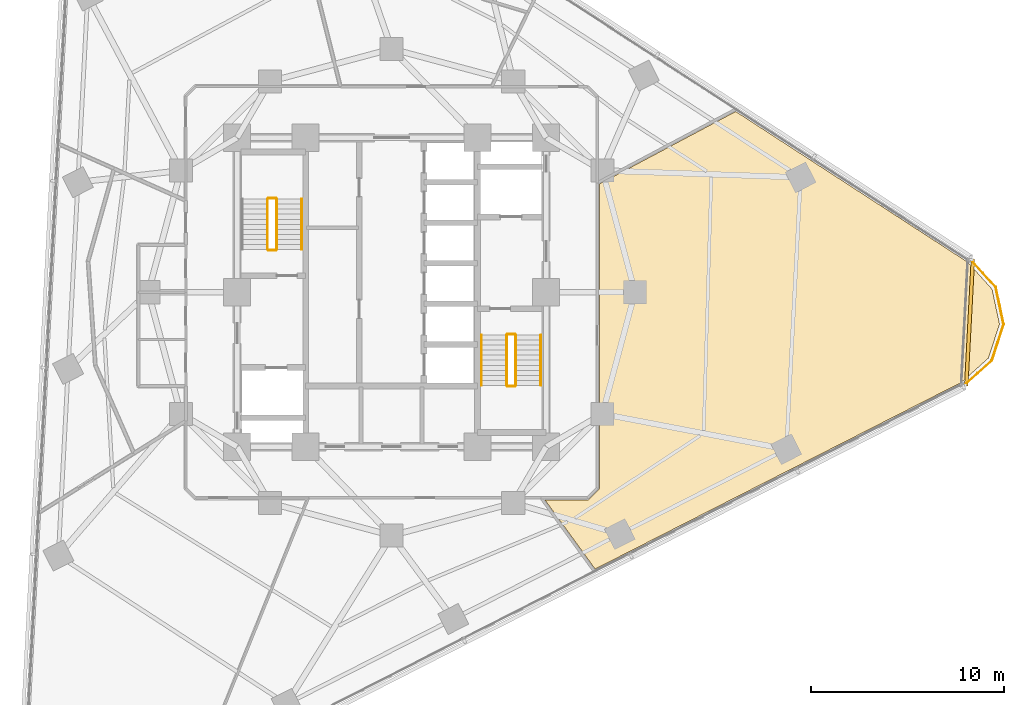
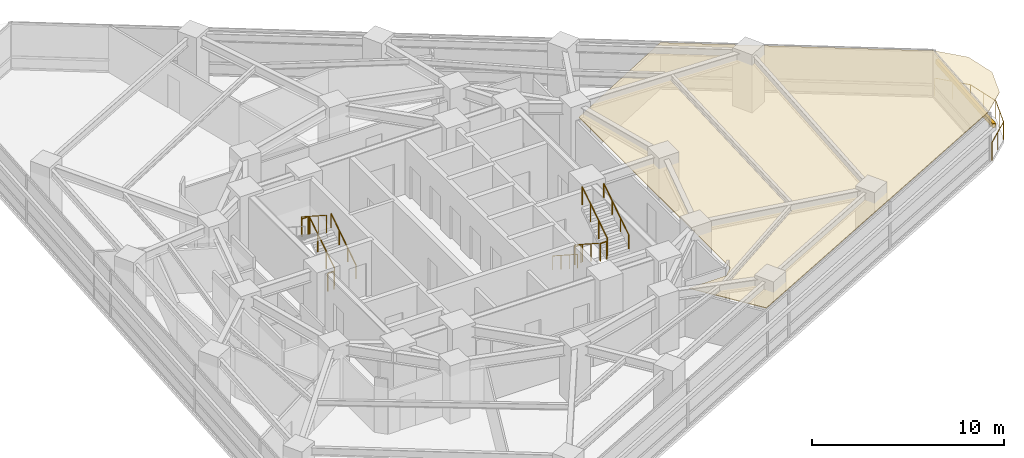
# One storey, part 13 of 14: 12 railings, 1 covering, 1 shading device.
"""IFC4 building model written with IfcOpenShell, lengths in metres."""

from ifc_helpers import new_model, si_unit, direction, frame, origin, origin_2d, place, context, subcontext, project, spatial, polyline, rectangle, circle, outline, extrude, material, layer, layer_set, type_object, element, save


model = new_model("IFC4")

# Units and contexts
model_context = context("Model", 3, precision=1e-05, world=origin(), true_north=direction((0.0, 1.0)))
body_context = subcontext(model_context, "Body", "Model", "MODEL_VIEW")
ifc_project = project(units=[si_unit("LENGTHUNIT", "METRE"), si_unit("AREAUNIT", "SQUARE_METRE"), si_unit("VOLUMEUNIT", "CUBIC_METRE"), si_unit("PLANEANGLEUNIT", "RADIAN"), si_unit("MASSUNIT", "GRAM", prefix="KILO")], contexts=[model_context])

# Site, building, storey
site_placement = place(None, origin())
site = spatial("IfcSite", under=ifc_project, at=site_placement, CompositionType="ELEMENT")
building_placement = place(site_placement, origin())
building = spatial("IfcBuilding", under=site, at=building_placement, Name="Terralouvre Media Tower", CompositionType="ELEMENT")
storey_placement = place(building_placement, frame((0.0, 0.0, 138.39990234375)))
storey = spatial("IfcBuildingStorey", under=building, at=storey_placement, Name="L35", CompositionType="ELEMENT", Elevation=138.39990234375)

# Covering
ifc_material_1 = material(Name="Perforated aluminium acoustic ceiling baffle", Category="aluminium")
ifc_layer_1 = layer(ifc_material_1, 0.0400390625, Name="Perforated Acoustic Metal Tile Ceiling CL-AC1")
ifc_layer_set_1 = layer_set([ifc_layer_1], Name="Perforated aluminium acoustic ceiling baffle")
covering_type = type_object("IfcCoveringType", Name="Perforated Acoustic Metal Tile Ceiling CL-AC1", PredefinedType="CEILING", material=ifc_layer_set_1)
covering_placement = place(storey_placement, frame((0.0, 0.0, 2.97998046875), z_axis=(0.0, 0.0, 1.0), x_axis=(0.891006524188, 0.45399049974, 0.0)))
element("IfcCovering", 1, at=covering_placement, inside=storey, type_object=covering_type, Name="L35 Book Review Reading Study 5 Acoustic Ceiling", PredefinedType="CEILING", context=body_context, shape_type="SweptSolid", body=[
    extrude(outline(polyline([(4.97021484375, -13.924072265625), (4.96533203125, -13.9326171875), (4.959716796875, -13.940673828125), (4.953369140625, -13.947998046875), (4.946044921875, -13.954833984375), (4.9384765625, -13.960693359375), (4.929931640625, -13.966064453125), (4.92138671875, -13.97021484375), (4.912109375, -13.973876953125), (4.239501953125, -14.1923828125), (4.230224609375, -14.19482421875), (4.220458984375, -14.196533203125), (4.210693359375, -14.197265625), (4.200927734375, -14.197021484375), (4.191162109375, -14.195556640625), (4.181640625, -14.193603515625), (4.17236328125, -14.1904296875), (4.163330078125, -14.186279296875), (2.18896484375, -13.180419921875), (2.881103515625, -17.55224609375), (24.1708984375, -17.55224609375), (25.986083984375, -17.06494140625), (27.29345703125, -15.758056640625), (27.7724609375, -13.972412109375), (27.28515625, -12.156982421875), (20.1220703125, 0.251220703125), (12.1220703125, 0.11181640625), (4.97021484375, -13.924072265625)])), origin(), (0.0, 0.0, 1.0), 0.0400390625),
])

# Railings
ifc_material_2 = material(Name="Stainless steel 316 handrail and balustrade", Category="steel")
ifc_layer_2 = layer(ifc_material_2, 0.06005859375, Name="Roof Edge Safety Guardrail GR-ROOF1")
ifc_layer_set_2 = layer_set([ifc_layer_2], Name="Stainless steel 316 handrail and balustrade")
railing_type_1 = type_object("IfcRailingType", Name="Roof Edge Safety Guardrail GR-ROOF1", PredefinedType="GUARDRAIL", material=ifc_layer_set_2)
railing_1_placement = place(storey_placement, frame((29.61572265625, -4.845947265625, 0.0)))
element("IfcRailing", 2, at=railing_1_placement, inside=storey, type_object=railing_type_1, Name="L35 Wind-Corner Perimeter Safety Guardrail C1", PredefinedType="GUARDRAIL", context=body_context, shape_type="SweptSolid", body=[
    extrude(circle(Radius=0.02099609375, at=origin_2d()), frame((0.0, 0.0, 1.12890625), z_axis=(0.743312666239, 0.668944153281, 0.0), x_axis=(-0.668944153281, 0.743312666239, 0.0)), (0.0, 0.0, 1.0), 1.96630859375),
    extrude(circle(Radius=0.02099609375, at=origin_2d()), frame((1.461669921875, 1.3154296875, 1.12890625), z_axis=(0.309178723202, 0.95100395221, 0.0), x_axis=(-0.95100395221, 0.309178723202, 0.0)), (0.0, 0.0, 1.0), 1.96630859375),
    extrude(circle(Radius=0.02099609375, at=origin_2d()), frame((2.069580078125, 3.185302734375, 1.12890625), z_axis=(-0.207968640809, 0.978135493907, 0.0), x_axis=(-0.978135493907, -0.207968640809, 0.0)), (0.0, 0.0, 1.0), 1.96630859375),
    extrude(circle(Radius=0.02099609375, at=origin_2d()), frame((1.66064453125, 5.108642578125, 1.12890625), z_axis=(-0.669335064293, 0.742960679786, 0.0), x_axis=(-0.742960679786, -0.669335064293, 0.0)), (0.0, 0.0, 1.0), 1.96630859375),
    extrude(circle(Radius=0.01904296875, at=origin_2d()), origin(), (0.0, 0.0, 1.0), 1.10791015625),
    extrude(circle(Radius=0.01904296875, at=origin_2d()), frame((0.73095703125, 0.65771484375, 0.0)), (0.0, 0.0, 1.0), 1.10791015625),
    extrude(circle(Radius=0.01904296875, at=origin_2d()), frame((1.461669921875, 1.3154296875, 0.0)), (0.0, 0.0, 1.0), 1.10791015625),
    extrude(circle(Radius=0.01904296875, at=origin_2d()), frame((1.765625, 2.25048828125, 0.0)), (0.0, 0.0, 1.0), 1.10791015625),
    extrude(circle(Radius=0.01904296875, at=origin_2d()), frame((2.069580078125, 3.185302734375, 0.0)), (0.0, 0.0, 1.0), 1.10791015625),
    extrude(circle(Radius=0.01904296875, at=origin_2d()), frame((1.865234375, 4.14697265625, 0.0)), (0.0, 0.0, 1.0), 1.10791015625),
    extrude(circle(Radius=0.01904296875, at=origin_2d()), frame((1.66064453125, 5.108642578125, 0.0)), (0.0, 0.0, 1.0), 1.10791015625),
    extrude(circle(Radius=0.01904296875, at=origin_2d()), frame((1.00244140625, 5.839111328125, 0.0)), (0.0, 0.0, 1.0), 1.10791015625),
    extrude(circle(Radius=0.01904296875, at=origin_2d()), frame((0.344482421875, 6.569580078125, 0.0)), (0.0, 0.0, 1.0), 1.10791015625),
])
ifc_material_3 = material(Name="Stainless steel 316 handrail and balustrade", Category="steel")
ifc_layer_3 = layer(ifc_material_3, 0.050048828125, Name="Stair Flight Wall Handrail HR-INT1")
ifc_layer_set_3 = layer_set([ifc_layer_3], Name="Stainless steel 316 handrail and balustrade")
railing_type_2 = type_object("IfcRailingType", Name="Stair Flight Wall Handrail HR-INT1", PredefinedType="HANDRAIL", material=ifc_layer_set_3)
railing_2_placement = place(storey_placement, frame((-4.64990234375, 2.219970703125, 0.168212890625)))
element("IfcRailing", 3, at=railing_2_placement, inside=storey, type_object=railing_type_2, Name="L35 ST-01 stair handrail 1", PredefinedType="HANDRAIL", context=body_context, shape_type="SweptSolid", body=[
    extrude(circle(Radius=0.02392578125, at=origin_2d()), frame((0.0, 0.0, 0.8759765625), z_axis=(0.0, 0.839648411786, 0.543130320075), x_axis=(-1.0, 0.0, 0.0)), (0.0, 0.0, 1.0), 3.0966796875),
    extrude(circle(Radius=0.02099609375, at=origin_2d()), origin(), (0.0, 0.0, 1.0), 0.851806640625),
    extrude(circle(Radius=0.02099609375, at=origin_2d()), frame((0.0, 0.86669921875, 0.560546875)), (0.0, 0.0, 1.0), 0.851806640625),
    extrude(circle(Radius=0.02099609375, at=origin_2d()), frame((0.0, 1.7333984375, 1.121337890625)), (0.0, 0.0, 1.0), 0.851806640625),
    extrude(circle(Radius=0.02099609375, at=origin_2d()), frame((0.0, 2.60009765625, 1.681884765625)), (0.0, 0.0, 1.0), 0.851806640625),
])
railing_3_placement = place(storey_placement, frame((4.64990234375, -2.219970703125, 0.168212890625)))
element("IfcRailing", 4, at=railing_3_placement, inside=storey, type_object=railing_type_2, Name="L35 ST-02 stair handrail 1", PredefinedType="HANDRAIL", context=body_context, shape_type="SweptSolid", body=[
    extrude(circle(Radius=0.02392578125, at=origin_2d()), frame((0.0, 0.0, 0.8759765625), z_axis=(0.0, -0.839648411786, 0.543130320075), x_axis=(1.0, 0.0, 0.0)), (0.0, 0.0, 1.0), 3.0966796875),
    extrude(circle(Radius=0.02099609375, at=origin_2d()), origin(), (0.0, 0.0, 1.0), 0.851806640625),
    extrude(circle(Radius=0.02099609375, at=origin_2d()), frame((0.0, -0.86669921875, 0.560546875)), (0.0, 0.0, 1.0), 0.851806640625),
    extrude(circle(Radius=0.02099609375, at=origin_2d()), frame((0.0, -1.7333984375, 1.121337890625)), (0.0, 0.0, 1.0), 0.851806640625),
    extrude(circle(Radius=0.02099609375, at=origin_2d()), frame((0.0, -2.60009765625, 1.681884765625)), (0.0, 0.0, 1.0), 0.851806640625),
])
railing_4_placement = place(storey_placement, frame((7.72998046875, -4.820068359375, 2.018310546875)))
element("IfcRailing", 5, at=railing_4_placement, inside=storey, type_object=railing_type_2, Name="L35 ST-02 stair handrail 2", PredefinedType="HANDRAIL", context=body_context, shape_type="SweptSolid", body=[
    extrude(circle(Radius=0.02392578125, at=origin_2d()), frame((0.0, 0.0, 0.8759765625), z_axis=(0.0, 0.839648411786, 0.543130320075), x_axis=(-1.0, 0.0, 0.0)), (0.0, 0.0, 1.0), 3.0966796875),
    extrude(circle(Radius=0.02099609375, at=origin_2d()), origin(), (0.0, 0.0, 1.0), 0.851806640625),
    extrude(circle(Radius=0.02099609375, at=origin_2d()), frame((0.0, 0.86669921875, 0.560546875)), (0.0, 0.0, 1.0), 0.851806640625),
    extrude(circle(Radius=0.02099609375, at=origin_2d()), frame((0.0, 1.7333984375, 1.121337890625)), (0.0, 0.0, 1.0), 0.851806640625),
    extrude(circle(Radius=0.02099609375, at=origin_2d()), frame((0.0, 2.60009765625, 1.681884765625)), (0.0, 0.0, 1.0), 0.851806640625),
])
ifc_material_4 = material(Name="Stainless steel 316 handrail and balustrade", Category="steel")
ifc_layer_4 = layer(ifc_material_4, 0.050048828125, Name="Stairwell Safety Guardrail GR-INT1")
ifc_layer_set_4 = layer_set([ifc_layer_4], Name="Stainless steel 316 handrail and balustrade")
railing_type_3 = type_object("IfcRailingType", Name="Stairwell Safety Guardrail GR-INT1", PredefinedType="GUARDRAIL", material=ifc_layer_set_4)
railing_5_placement = place(storey_placement, frame((-5.949951171875, 2.219970703125, 0.168212890625)))
element("IfcRailing", 6, at=railing_5_placement, inside=storey, type_object=railing_type_3, Name="L35 ST-01 stair guard 1", PredefinedType="GUARDRAIL", context=body_context, shape_type="SweptSolid", body=[
    extrude(circle(Radius=0.02392578125, at=origin_2d()), frame((0.0, 0.0, 1.1259765625), z_axis=(0.0, 0.839648411786, 0.543130320075), x_axis=(-1.0, 0.0, 0.0)), (0.0, 0.0, 1.0), 3.0966796875),
    extrude(circle(Radius=0.02099609375, at=origin_2d()), origin(), (0.0, 0.0, 1.0), 1.101806640625),
    extrude(circle(Radius=0.02099609375, at=origin_2d()), frame((0.0, 0.86669921875, 0.560546875)), (0.0, 0.0, 1.0), 1.101806640625),
    extrude(circle(Radius=0.02099609375, at=origin_2d()), frame((0.0, 1.7333984375, 1.121337890625)), (0.0, 0.0, 1.0), 1.101806640625),
    extrude(circle(Radius=0.02099609375, at=origin_2d()), frame((0.0, 2.60009765625, 1.681884765625)), (0.0, 0.0, 1.0), 1.101806640625),
])
railing_6_placement = place(storey_placement, frame((-6.0, 4.8701171875, 1.85009765625)))
element("IfcRailing", 7, at=railing_6_placement, inside=storey, type_object=railing_type_3, Name="L35 ST-01 stair guard 2", PredefinedType="GUARDRAIL", context=body_context, shape_type="SweptSolid", body=[
    extrude(circle(Radius=0.02392578125, at=origin_2d()), frame((0.0, 0.0, 1.1259765625), z_axis=(-1.0, 0.0, 0.0), x_axis=(0.0, -1.0, 0.0)), (0.0, 0.0, 1.0), 0.3798828125),
    extrude(circle(Radius=0.02099609375, at=origin_2d()), origin(), (0.0, 0.0, 1.0), 1.101806640625),
    extrude(circle(Radius=0.02099609375, at=origin_2d()), frame((-0.3798828125, 0.0, 0.0)), (0.0, 0.0, 1.0), 1.101806640625),
])
railing_7_placement = place(storey_placement, frame((-6.429931640625, 4.820068359375, 2.018310546875)))
element("IfcRailing", 8, at=railing_7_placement, inside=storey, type_object=railing_type_3, Name="L35 ST-01 stair guard 3", PredefinedType="GUARDRAIL", context=body_context, shape_type="SweptSolid", body=[
    extrude(circle(Radius=0.02392578125, at=origin_2d()), frame((0.0, 0.0, 1.1259765625), z_axis=(0.0, -0.839648411786, 0.543130320075), x_axis=(1.0, 0.0, 0.0)), (0.0, 0.0, 1.0), 3.0966796875),
    extrude(circle(Radius=0.02099609375, at=origin_2d()), origin(), (0.0, 0.0, 1.0), 1.101806640625),
    extrude(circle(Radius=0.02099609375, at=origin_2d()), frame((0.0, -0.86669921875, 0.560546875)), (0.0, 0.0, 1.0), 1.101806640625),
    extrude(circle(Radius=0.02099609375, at=origin_2d()), frame((0.0, -1.7333984375, 1.121337890625)), (0.0, 0.0, 1.0), 1.101806640625),
    extrude(circle(Radius=0.02099609375, at=origin_2d()), frame((0.0, -2.60009765625, 1.681884765625)), (0.0, 0.0, 1.0), 1.101806640625),
])
railing_8_placement = place(storey_placement, frame((-6.0, 2.169921875, 0.0)))
element("IfcRailing", 9, at=railing_8_placement, inside=storey, type_object=railing_type_3, Name="L35 ST-01 stair guard 4", PredefinedType="GUARDRAIL", context=body_context, shape_type="SweptSolid", body=[
    extrude(circle(Radius=0.02392578125, at=origin_2d()), frame((0.0, 0.0, 1.1259765625), z_axis=(-1.0, 0.0, 0.0), x_axis=(0.0, -1.0, 0.0)), (0.0, 0.0, 1.0), 0.3798828125),
    extrude(circle(Radius=0.02099609375, at=origin_2d()), origin(), (0.0, 0.0, 1.0), 1.101806640625),
    extrude(circle(Radius=0.02099609375, at=origin_2d()), frame((-0.3798828125, 0.0, 0.0)), (0.0, 0.0, 1.0), 1.101806640625),
])
railing_9_placement = place(storey_placement, frame((5.949951171875, -2.219970703125, 0.168212890625)))
element("IfcRailing", 10, at=railing_9_placement, inside=storey, type_object=railing_type_3, Name="L35 ST-02 stair guard 1", PredefinedType="GUARDRAIL", context=body_context, shape_type="SweptSolid", body=[
    extrude(circle(Radius=0.02392578125, at=origin_2d()), frame((0.0, 0.0, 1.1259765625), z_axis=(0.0, -0.839648411786, 0.543130320075), x_axis=(1.0, 0.0, 0.0)), (0.0, 0.0, 1.0), 3.0966796875),
    extrude(circle(Radius=0.02099609375, at=origin_2d()), origin(), (0.0, 0.0, 1.0), 1.101806640625),
    extrude(circle(Radius=0.02099609375, at=origin_2d()), frame((0.0, -0.86669921875, 0.560546875)), (0.0, 0.0, 1.0), 1.101806640625),
    extrude(circle(Radius=0.02099609375, at=origin_2d()), frame((0.0, -1.7333984375, 1.121337890625)), (0.0, 0.0, 1.0), 1.101806640625),
    extrude(circle(Radius=0.02099609375, at=origin_2d()), frame((0.0, -2.60009765625, 1.681884765625)), (0.0, 0.0, 1.0), 1.101806640625),
])
railing_10_placement = place(storey_placement, frame((6.0, -4.8701171875, 1.85009765625)))
element("IfcRailing", 11, at=railing_10_placement, inside=storey, type_object=railing_type_3, Name="L35 ST-02 stair guard 2", PredefinedType="GUARDRAIL", context=body_context, shape_type="SweptSolid", body=[
    extrude(circle(Radius=0.02392578125, at=origin_2d()), frame((0.0, 0.0, 1.1259765625), z_axis=(1.0, 0.0, 0.0), x_axis=(0.0, 1.0, 0.0)), (0.0, 0.0, 1.0), 0.3798828125),
    extrude(circle(Radius=0.02099609375, at=origin_2d()), origin(), (0.0, 0.0, 1.0), 1.101806640625),
    extrude(circle(Radius=0.02099609375, at=origin_2d()), frame((0.3798828125, 0.0, 0.0)), (0.0, 0.0, 1.0), 1.101806640625),
])
railing_11_placement = place(storey_placement, frame((6.429931640625, -4.820068359375, 2.018310546875)))
element("IfcRailing", 12, at=railing_11_placement, inside=storey, type_object=railing_type_3, Name="L35 ST-02 stair guard 3", PredefinedType="GUARDRAIL", context=body_context, shape_type="SweptSolid", body=[
    extrude(circle(Radius=0.02392578125, at=origin_2d()), frame((0.0, 0.0, 1.1259765625), z_axis=(0.0, 0.839648411786, 0.543130320075), x_axis=(-1.0, 0.0, 0.0)), (0.0, 0.0, 1.0), 3.0966796875),
    extrude(circle(Radius=0.02099609375, at=origin_2d()), origin(), (0.0, 0.0, 1.0), 1.101806640625),
    extrude(circle(Radius=0.02099609375, at=origin_2d()), frame((0.0, 0.86669921875, 0.560546875)), (0.0, 0.0, 1.0), 1.101806640625),
    extrude(circle(Radius=0.02099609375, at=origin_2d()), frame((0.0, 1.7333984375, 1.121337890625)), (0.0, 0.0, 1.0), 1.101806640625),
    extrude(circle(Radius=0.02099609375, at=origin_2d()), frame((0.0, 2.60009765625, 1.681884765625)), (0.0, 0.0, 1.0), 1.101806640625),
])
railing_12_placement = place(storey_placement, frame((6.0, -2.169921875, 0.0)))
element("IfcRailing", 13, at=railing_12_placement, inside=storey, type_object=railing_type_3, Name="L35 ST-02 stair guard 4", PredefinedType="GUARDRAIL", context=body_context, shape_type="SweptSolid", body=[
    extrude(circle(Radius=0.02392578125, at=origin_2d()), frame((0.0, 0.0, 1.1259765625), z_axis=(1.0, 0.0, 0.0), x_axis=(0.0, 1.0, 0.0)), (0.0, 0.0, 1.0), 0.3798828125),
    extrude(circle(Radius=0.02099609375, at=origin_2d()), origin(), (0.0, 0.0, 1.0), 1.101806640625),
    extrude(circle(Radius=0.02099609375, at=origin_2d()), frame((0.3798828125, 0.0, 0.0)), (0.0, 0.0, 1.0), 1.101806640625),
])

# Shading device
ifc_material_5 = material(Name="Extruded terracotta baguette sunshade louvres", Category="masonry")
shading_device_type = type_object("IfcShadingDeviceType", Name="Terracotta Baguette Sunshade Louvre Screen TB-LV1", PredefinedType="USERDEFINED", material=ifc_material_5)
shading_device_placement = place(storey_placement, frame((29.922607421875, -1.568115234375, 2.02392578125), z_axis=(0.0, 0.0, 1.0), x_axis=(0.052336823006, 0.998629489329, 0.0)))
element("IfcShadingDevice", 14, at=shading_device_placement, inside=storey, type_object=shading_device_type, Name="CW-L35-C1 Terracotta Baguette Sunshade Louvre", ObjectType="BAGUETTE", PredefinedType="USERDEFINED", context=body_context, shape_type="SweptSolid", body=[
    extrude(rectangle(XDim=6.581787109375, YDim=0.179931640625, at=origin_2d()), origin(), (0.0, 0.0, 1.0), 0.280029296875),
])

save(model, "model.ifc")
